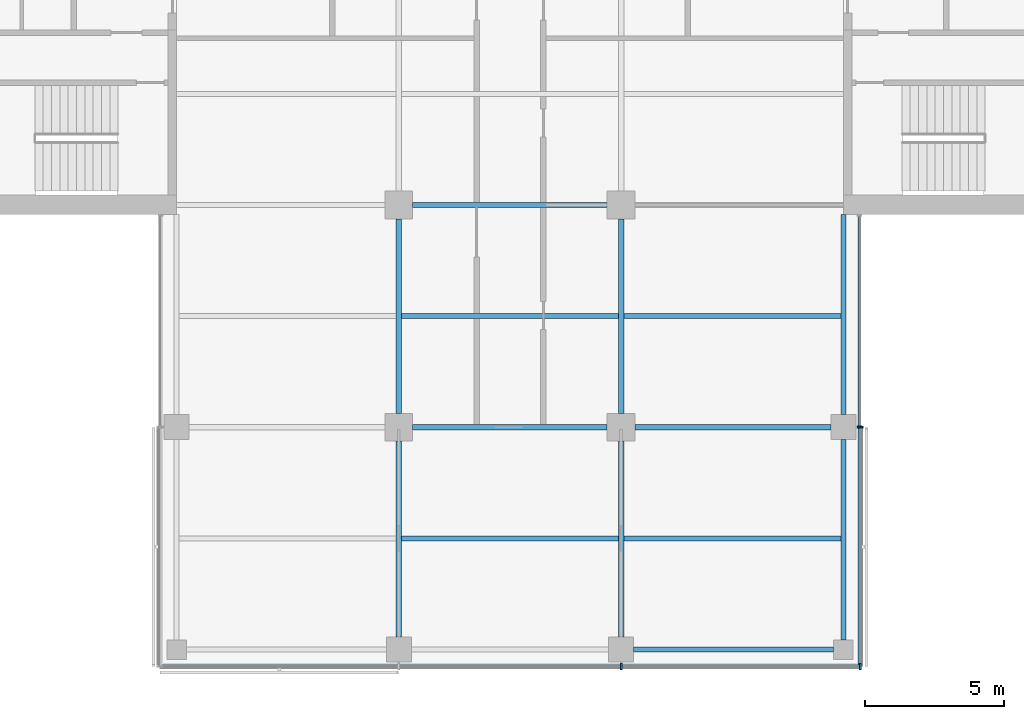
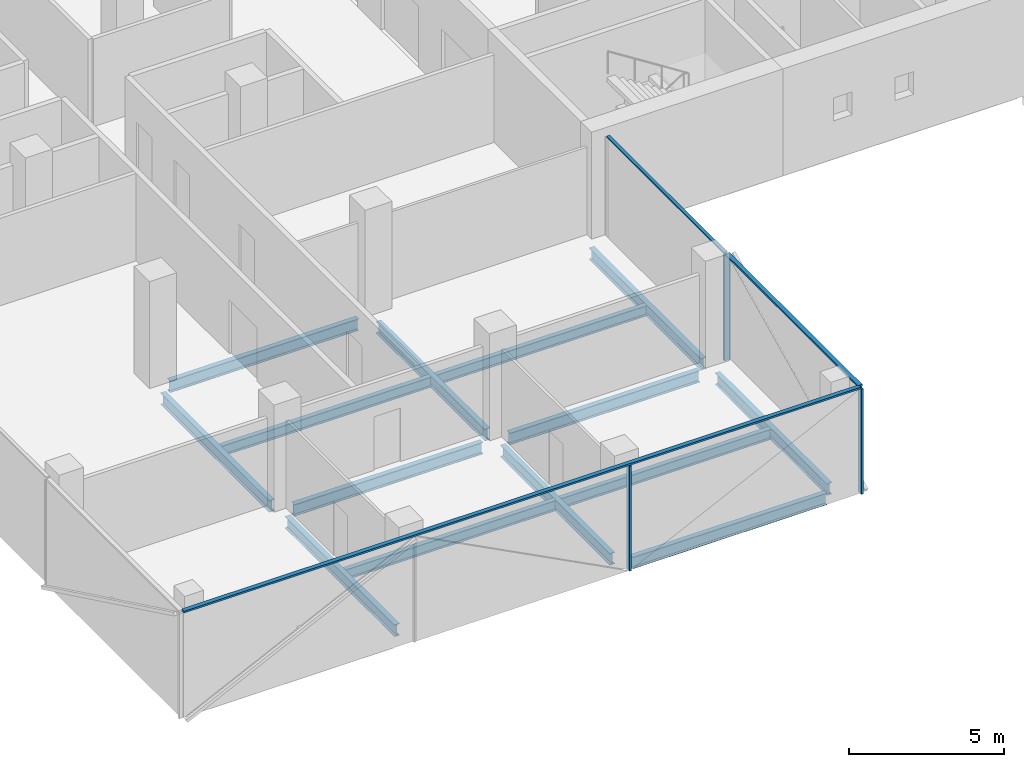
# One storey, part 5 of 22: 14 beams, 7 members, 3 elements without a shape of their own.
"""IFC4 building model written with IfcOpenShell, lengths in metres."""

from ifc_helpers import new_model, si_unit, direction, frame, origin, origin_2d, place, context, subcontext, project, spatial, rectangle, i_section, extrude, material, material_profile, profile_set, type_object, element, aggregate, save


model = new_model("IFC4")

# Units and contexts
model_context = context("Model", 3, precision=1e-05, world=origin(), true_north=direction((0.0, 1.0)))
body_context = subcontext(model_context, "Body", "Model", "MODEL_VIEW")
ifc_project = project(units=[si_unit("LENGTHUNIT", "METRE"), si_unit("AREAUNIT", "SQUARE_METRE"), si_unit("VOLUMEUNIT", "CUBIC_METRE"), si_unit("PLANEANGLEUNIT", "RADIAN"), si_unit("MASSUNIT", "GRAM", prefix="KILO")], contexts=[model_context])

# Site, building, storey
site_placement = place(None, origin())
site = spatial("IfcSite", under=ifc_project, at=site_placement, CompositionType="ELEMENT")
building_placement = place(site_placement, origin())
building = spatial("IfcBuilding", under=site, at=building_placement, Name="Crosswind Convention Tower", CompositionType="ELEMENT")
storey_placement = place(building_placement, frame((0.0, 0.0, 116.89990234375)))
storey = spatial("IfcBuildingStorey", under=building, at=storey_placement, Name="L23", CompositionType="ELEMENT", Elevation=116.89990234375)

# Beams
ifc_material_1 = material(Name="Steel S355", Category="steel")
ifc_material_profile_1 = material_profile(ifc_material_1, i_section(OverallWidth=0.18994140625, OverallDepth=0.45361328125, WebThickness=0.008544921875, FlangeThickness=0.0126953125, FilletRadius=0.01025390625, at=origin_2d()), Name="UB 457x191x67")
ifc_profile_set_1 = profile_set([ifc_material_profile_1], Name="Steel S355")
beam_type_1 = type_object("IfcBeamType", Name="Edge beam UB 457x191x67", PredefinedType="SPANDREL", material=ifc_profile_set_1)
for number, where, z_axis, x_axis, name in (
    (1, (129.449951171875, 72.0, -0.526611328125), (1.0, 0.0, 0.0), (0.0, 1.0, 0.0), "B16 L23 edge beam 14"),
    (2, (137.0, 72.35009765625, -0.526611328125), (0.0, 1.0, 0.0), (-1.0, 0.0, 0.0), "B16 L23 edge beam 16"),
    (3, (137.0, 80.449951171875, -0.526611328125), (0.0, 1.0, 0.0), (-1.0, 0.0, 0.0), "B16 L23 edge beam 17"),
):
    element("IfcBeam", number, at=place(storey_placement, frame(where, z_axis=z_axis, x_axis=x_axis)), inside=storey, type_object=beam_type_1, Name=name, PredefinedType="SPANDREL", context=body_context, shape_type="SweptSolid", body=[
        extrude(i_section(OverallWidth=0.18994140625, OverallDepth=0.45361328125, WebThickness=0.008544921875, FlangeThickness=0.0126953125, FilletRadius=0.01025390625, at=origin_2d()), origin(), (0.0, 0.0, 1.0), 7.199951171875),
    ])
ifc_material_profile_2 = material_profile(ifc_material_1, i_section(OverallWidth=0.19140625, OverallDepth=0.460205078125, WebThickness=0.010009765625, FlangeThickness=0.01611328125, FilletRadius=0.01025390625, at=origin_2d()), Name="UB 457x191x82")
ifc_profile_set_2 = profile_set([ifc_material_profile_2], Name="Steel S355")
beam_type_2 = type_object("IfcBeamType", Name="Girder UB 457x191x82", PredefinedType="BEAM", material=ifc_profile_set_2)
beam_1_placement = place(storey_placement, frame((121.0, 72.449951171875, -0.530029296875), z_axis=(0.0, 1.0, 0.0), x_axis=(-1.0, 0.0, 0.0)))
element("IfcBeam", 4, at=beam_1_placement, inside=storey, type_object=beam_type_2, Name="B3 L23 girder 3", PredefinedType="BEAM", context=body_context, shape_type="SweptSolid", body=[
    extrude(i_section(OverallWidth=0.19140625, OverallDepth=0.460205078125, WebThickness=0.010009765625, FlangeThickness=0.01611328125, FilletRadius=0.01025390625, at=origin_2d()), origin(), (0.0, 0.0, 1.0), 7.050048828125),
])
for number, where, z_axis, x_axis, name in (
    (5, (121.0, 80.5, -0.530029296875), (0.0, 1.0, 0.0), (-1.0, 0.0, 0.0), "B3 L23 girder 4"),
    (6, (121.5, 80.0, -0.530029296875), (1.0, 0.0, 0.0), (0.0, 1.0, 0.0), "B3 L23 girder 10"),
    (7, (121.5, 88.0, -0.530029296875), (1.0, 0.0, 0.0), (0.0, 1.0, 0.0), "B3 L23 girder 11"),
):
    element("IfcBeam", number, at=place(storey_placement, frame(where, z_axis=z_axis, x_axis=x_axis)), inside=storey, type_object=beam_type_2, Name=name, PredefinedType="BEAM", context=body_context, shape_type="SweptSolid", body=[
        extrude(i_section(OverallWidth=0.19140625, OverallDepth=0.460205078125, WebThickness=0.010009765625, FlangeThickness=0.01611328125, FilletRadius=0.01025390625, at=origin_2d()), origin(), (0.0, 0.0, 1.0), 7.0),
    ])
beam_2_placement = place(storey_placement, frame((129.0, 72.449951171875, -0.530029296875), z_axis=(0.0, 1.0, 0.0), x_axis=(-1.0, 0.0, 0.0)))
element("IfcBeam", 8, at=beam_2_placement, inside=storey, type_object=beam_type_2, Name="B3 L23 girder 16", PredefinedType="BEAM", context=body_context, shape_type="SweptSolid", body=[
    extrude(i_section(OverallWidth=0.19140625, OverallDepth=0.460205078125, WebThickness=0.010009765625, FlangeThickness=0.01611328125, FilletRadius=0.01025390625, at=origin_2d()), origin(), (0.0, 0.0, 1.0), 7.050048828125),
])
beam_3_placement = place(storey_placement, frame((129.0, 80.5, -0.530029296875), z_axis=(0.0, 1.0, 0.0), x_axis=(-1.0, 0.0, 0.0)))
element("IfcBeam", 9, at=beam_3_placement, inside=storey, type_object=beam_type_2, Name="B3 L23 girder 17", PredefinedType="BEAM", context=body_context, shape_type="SweptSolid", body=[
    extrude(i_section(OverallWidth=0.19140625, OverallDepth=0.460205078125, WebThickness=0.010009765625, FlangeThickness=0.01611328125, FilletRadius=0.01025390625, at=origin_2d()), origin(), (0.0, 0.0, 1.0), 7.0),
])
beam_4_placement = place(storey_placement, frame((129.5, 80.0, -0.530029296875), z_axis=(1.0, 0.0, 0.0), x_axis=(0.0, 1.0, 0.0)))
element("IfcBeam", 10, at=beam_4_placement, inside=storey, type_object=beam_type_2, Name="B3 L23 girder 23", PredefinedType="BEAM", context=body_context, shape_type="SweptSolid", body=[
    extrude(i_section(OverallWidth=0.19140625, OverallDepth=0.460205078125, WebThickness=0.010009765625, FlangeThickness=0.01611328125, FilletRadius=0.01025390625, at=origin_2d()), origin(), (0.0, 0.0, 1.0), 7.050048828125),
])

# Curtain wall, member
ifc_material_2 = material(Name="Aluminium unitised curtain wall", Category="aluminium")
curtain_wall_type_1 = type_object("IfcCurtainWallType", Name="CORE END SLOT WALL 160", PredefinedType="USERDEFINED", material=ifc_material_2)
curtain_wall_1_placement = place(storey_placement, origin())
curtain_wall_1 = element("IfcCurtainWall", 11, at=curtain_wall_1_placement, inside=storey, type_object=curtain_wall_type_1, Name="CW6 L23 S-E.1-2 slot", ObjectType="UNITISED", PredefinedType="USERDEFINED")
ifc_material_3 = material(Name="Aluminium mullion", Category="aluminium")
ifc_material_profile_3 = material_profile(ifc_material_3, rectangle(XDim=0.159912109375, YDim=0.050048828125, at=origin_2d()), Name="AL 160X50")
ifc_profile_set_3 = profile_set([ifc_material_profile_3], Name="Aluminium mullion")
member_type_1 = type_object("IfcMemberType", Name="MULLION 50X160", PredefinedType="MULLION", material=ifc_profile_set_3)
member_1_placement = place(storey_placement, frame((137.580078125, 80.02490234375, -0.2998046875), z_axis=(0.0, 0.0, 1.0), x_axis=(1.0, 0.0, 0.0)))
member_1 = element("IfcMember", 12, at=member_1_placement, type_object=member_type_1, Name="CW6 mullion 1", PredefinedType="MULLION", context=body_context, shape_type="SweptSolid", body=[
    extrude(rectangle(XDim=0.159912109375, YDim=0.050048828125, at=origin_2d()), origin(), (0.0, 0.0, 1.0), 4.14990234375),
])

# Curtain wall, members
curtain_wall_type_2 = type_object("IfcCurtainWallType", Name="OFFICE UNITISED WALL 220", PredefinedType="USERDEFINED", material=ifc_material_2)
curtain_wall_2_placement = place(storey_placement, origin())
curtain_wall_2 = element("IfcCurtainWall", 13, at=curtain_wall_2_placement, inside=storey, type_object=curtain_wall_type_2, Name="CW3 L23 S-TIP 1", ObjectType="UNITISED", PredefinedType="USERDEFINED")
ifc_material_profile_4 = material_profile(ifc_material_3, rectangle(XDim=0.219970703125, YDim=0.070068359375, at=origin_2d()), Name="AL 220X70")
ifc_profile_set_4 = profile_set([ifc_material_profile_4], Name="Aluminium mullion")
member_type_2 = type_object("IfcMemberType", Name="MULLION 70X220", PredefinedType="MULLION", material=ifc_profile_set_4)
member_2_placement = place(storey_placement, frame((129.0, 71.389892578125, -0.2998046875), z_axis=(0.0, 0.0, 1.0), x_axis=(0.0, -1.0, 0.0)))
member_2 = element("IfcMember", 14, at=member_2_placement, type_object=member_type_2, Name="CW3 mullion 3", PredefinedType="MULLION", context=body_context, shape_type="SweptSolid", body=[
    extrude(rectangle(XDim=0.219970703125, YDim=0.070068359375, at=origin_2d()), origin(), (0.0, 0.0, 1.0), 4.1298828125),
])
member_3_placement = place(storey_placement, frame((137.610107421875, 71.389892578125, -0.2998046875), z_axis=(0.0, 0.0, 1.0), x_axis=(0.0, -1.0, 0.0)))
member_3 = element("IfcMember", 15, at=member_3_placement, type_object=member_type_2, Name="CW3 mullion 4", PredefinedType="MULLION", context=body_context, shape_type="SweptSolid", body=[
    extrude(rectangle(XDim=0.219970703125, YDim=0.070068359375, at=origin_2d()), origin(), (0.0, 0.0, 1.0), 4.1298828125),
])

# Curtain wall, member
curtain_wall_3_placement = place(storey_placement, origin())
curtain_wall_3 = element("IfcCurtainWall", 16, at=curtain_wall_3_placement, inside=storey, type_object=curtain_wall_type_2, Name="CW3 L23 S-E 1", ObjectType="UNITISED", PredefinedType="USERDEFINED")
member_4_placement = place(storey_placement, frame((137.610107421875, 80.0, -0.2998046875), z_axis=(0.0, 0.0, 1.0), x_axis=(1.0, 0.0, 0.0)))
member_4 = element("IfcMember", 17, at=member_4_placement, type_object=member_type_2, Name="CW3 mullion 2", PredefinedType="MULLION", context=body_context, shape_type="SweptSolid", body=[
    extrude(rectangle(XDim=0.219970703125, YDim=0.070068359375, at=origin_2d()), origin(), (0.0, 0.0, 1.0), 4.1298828125),
])

# Beams
ifc_material_profile_5 = material_profile(ifc_material_1, i_section(OverallWidth=0.177734375, OverallDepth=0.406494140625, WebThickness=0.0078125, FlangeThickness=0.0126953125, FilletRadius=0.01025390625, at=origin_2d()), Name="UB 406x178x60")
ifc_profile_set_5 = profile_set([ifc_material_profile_5], Name="Steel S355")
beam_type_3 = type_object("IfcBeamType", Name="Secondary beam UB 406x178x60", PredefinedType="JOIST", material=ifc_profile_set_5)
for number, where, z_axis, x_axis, name in (
    (18, (121.095703125, 76.0, -0.503173828125), (1.0, 0.0, 0.0), (0.0, 1.0, 0.0), "B10 L23 secondary beam 11"),
    (19, (121.095703125, 84.0, -0.503173828125), (1.0, 0.0, 0.0), (0.0, 1.0, 0.0), "B10 L23 secondary beam 12"),
):
    element("IfcBeam", number, at=place(storey_placement, frame(where, z_axis=z_axis, x_axis=x_axis)), inside=storey, type_object=beam_type_3, Name=name, PredefinedType="JOIST", context=body_context, shape_type="SweptSolid", body=[
        extrude(i_section(OverallWidth=0.177734375, OverallDepth=0.406494140625, WebThickness=0.0078125, FlangeThickness=0.0126953125, FilletRadius=0.01025390625, at=origin_2d()), origin(), (0.0, 0.0, 1.0), 7.80859375),
    ])
for number, where, z_axis, x_axis, name in (
    (20, (129.095703125, 76.0, -0.503173828125), (1.0, 0.0, 0.0), (0.0, 1.0, 0.0), "B10 L23 secondary beam 18"),
    (21, (129.095703125, 84.0, -0.503173828125), (1.0, 0.0, 0.0), (0.0, 1.0, 0.0), "B10 L23 secondary beam 19"),
):
    element("IfcBeam", number, at=place(storey_placement, frame(where, z_axis=z_axis, x_axis=x_axis)), inside=storey, type_object=beam_type_3, Name=name, PredefinedType="JOIST", context=body_context, shape_type="SweptSolid", body=[
        extrude(i_section(OverallWidth=0.177734375, OverallDepth=0.406494140625, WebThickness=0.0078125, FlangeThickness=0.0126953125, FilletRadius=0.01025390625, at=origin_2d()), origin(), (0.0, 0.0, 1.0), 7.809326171875),
    ])

# Member
ifc_material_4 = material(Name="Aluminium transom", Category="aluminium")
ifc_material_profile_6 = material_profile(ifc_material_4, rectangle(XDim=0.1201171875, YDim=0.050048828125, at=origin_2d()), Name="AL 120X50")
ifc_profile_set_6 = profile_set([ifc_material_profile_6], Name="Aluminium transom")
member_type_3 = type_object("IfcMemberType", Name="TRANSOM 50X120", PredefinedType="USERDEFINED", material=ifc_profile_set_6)
member_5_placement = place(storey_placement, frame((137.580078125, 80.050048828125, 3.875), z_axis=(0.0, 1.0, 0.0), x_axis=(-1.0, 0.0, 0.0)))
member_5 = element("IfcMember", 22, at=member_5_placement, type_object=member_type_3, Name="CW6 transom", ObjectType="TRANSOM", PredefinedType="USERDEFINED", context=body_context, shape_type="SweptSolid", body=[
    extrude(rectangle(XDim=0.1201171875, YDim=0.050048828125, at=origin_2d()), origin(), (0.0, 0.0, 1.0), 7.550048828125),
])

aggregate(curtain_wall_1, [member_1, member_5])

ifc_material_profile_7 = material_profile(ifc_material_4, rectangle(XDim=0.159912109375, YDim=0.070068359375, at=origin_2d()), Name="AL 160X70")
ifc_profile_set_7 = profile_set([ifc_material_profile_7], Name="Aluminium transom")
member_type_4 = type_object("IfcMemberType", Name="TRANSOM 70X160", PredefinedType="USERDEFINED", material=ifc_profile_set_7)
member_6_placement = place(storey_placement, frame((112.425048828125, 71.389892578125, 3.864990234375), z_axis=(1.0, 0.0, 0.0), x_axis=(0.0, 1.0, 0.0)))
member_6 = element("IfcMember", 23, at=member_6_placement, type_object=member_type_4, Name="CW3 transom", ObjectType="TRANSOM", PredefinedType="USERDEFINED", context=body_context, shape_type="SweptSolid", body=[
    extrude(rectangle(XDim=0.159912109375, YDim=0.070068359375, at=origin_2d()), origin(), (0.0, 0.0, 1.0), 25.14990234375),
])

aggregate(curtain_wall_2, [member_2, member_3, member_6])

member_7_placement = place(storey_placement, frame((137.610107421875, 71.425048828125, 3.864990234375), z_axis=(0.0, 1.0, 0.0), x_axis=(-1.0, 0.0, 0.0)))
member_7 = element("IfcMember", 24, at=member_7_placement, type_object=member_type_4, Name="CW3 transom", ObjectType="TRANSOM", PredefinedType="USERDEFINED", context=body_context, shape_type="SweptSolid", body=[
    extrude(rectangle(XDim=0.159912109375, YDim=0.070068359375, at=origin_2d()), origin(), (0.0, 0.0, 1.0), 8.5400390625),
])

aggregate(curtain_wall_3, [member_4, member_7])

save(model, "model.ifc")
